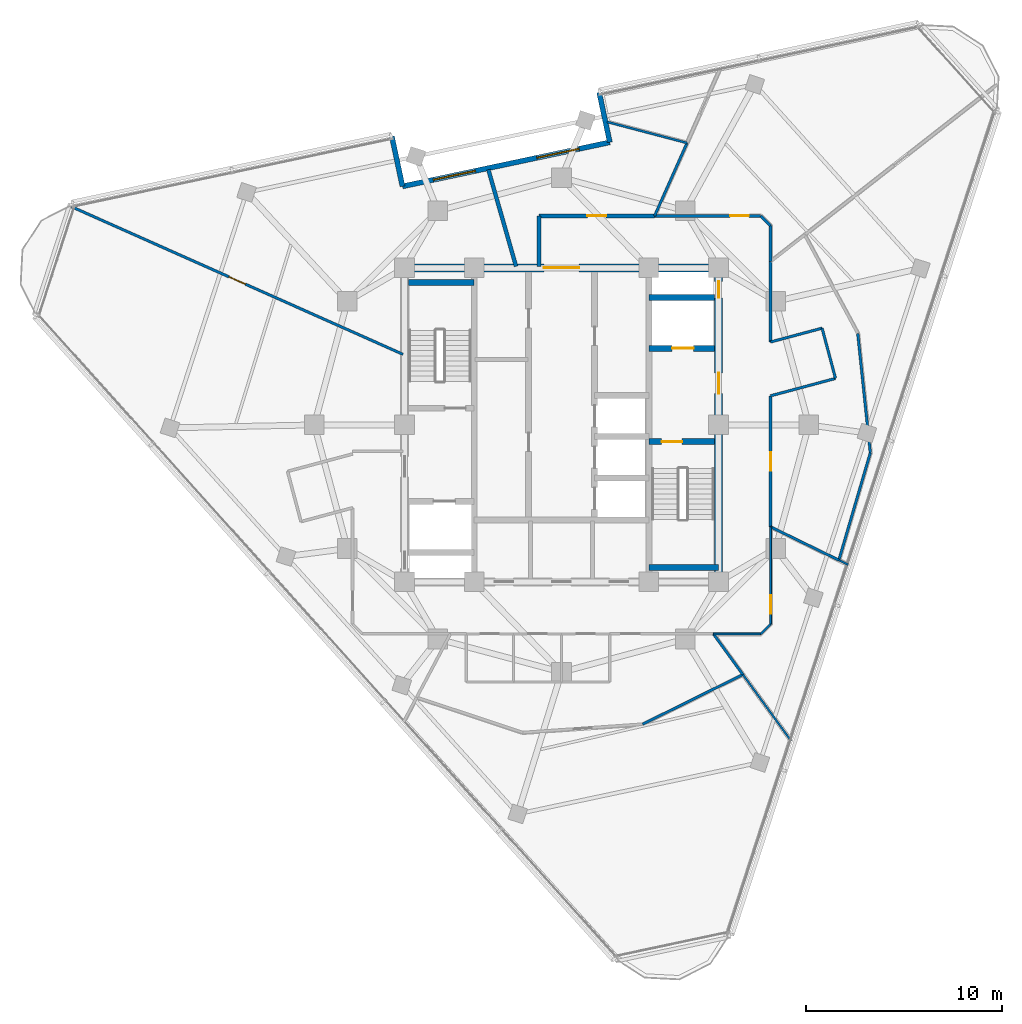
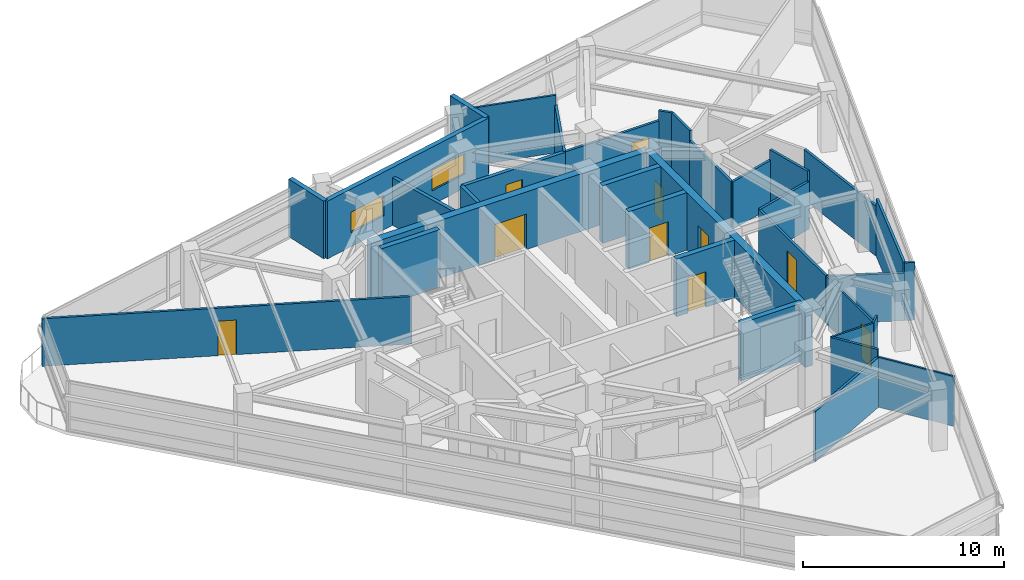
# One storey, part 9 of 15: 34 walls, 10 doors, 2 windows, 12 openings.
"""IFC4 building model written with IfcOpenShell, lengths in metres."""

import ifcopenshell
import ifcopenshell.guid

model = None  # the IFC model being written
_history = None  # IfcOwnerHistory: only IFC2X3 demands one
_inside = {}  # id of a spatial element -> (the spatial element, [elements in it])
_under = {}  # id of a project, library or spatial element -> (it, [spatial elements below it])
_declared = {}  # id of a project -> (the project, [libraries it declares])
_typed = {}  # id of a type object -> (the type object, [elements of that type])
_made_of = {}  # id of a material, layer set ... -> (it, [elements and type objects made of it])


def new_model(schema):
    """Start an empty IFC model of exactly this schema.

    Asked for "IFC4X3", IfcOpenShell would pick the latest addendum, in which some entities
    have other attributes; the version numbers below select the first issue.
    IFC2X3 requires an IfcOwnerHistory on every rooted entity: one is made here for all.
    """
    global model, _history
    if schema == "IFC4X3":
        model = ifcopenshell.file(schema_version=(4, 3, 0, 0))
    else:
        model = ifcopenshell.file(schema=schema)
    _inside.clear()
    _under.clear()
    _declared.clear()
    _typed.clear()
    _made_of.clear()
    _history = None
    if model.schema == "IFC2X3":
        org = make("IfcOrganization", Name="unknown")
        user = make(
            "IfcPersonAndOrganization",
            ThePerson=make("IfcPerson", FamilyName="unknown"),
            TheOrganization=org,
        )
        app = make(
            "IfcApplication",
            ApplicationDeveloper=org,
            Version="unknown",
            ApplicationFullName="unknown",
            ApplicationIdentifier="unknown",
        )
        _history = make(
            "IfcOwnerHistory",
            OwningUser=user,
            OwningApplication=app,
            ChangeAction="ADDED",
            CreationDate=0,
        )
    return model


def make(cls, **values):
    """One entity of the class cls with the attributes given. An attribute that is None is left unset."""
    return model.create_entity(
        cls, **{name: value for name, value in values.items() if value is not None}
    )


def rooted(cls, **values):
    """An entity with a GlobalId (a new one), such as an element, a storey or a relation."""
    return make(cls, GlobalId=ifcopenshell.guid.new(), OwnerHistory=_history, **values)


def si_unit(unit_type, name, prefix=None):
    """IfcSIUnit, for example si_unit("LENGTHUNIT", "METRE", prefix="MILLI")."""
    return make("IfcSIUnit", UnitType=unit_type, Prefix=prefix, Name=name)


def assignment(units):
    """IfcUnitAssignment: the units of a project."""
    return None if units is None else make("IfcUnitAssignment", Units=units)


def point(xyz):
    """IfcCartesianPoint."""
    return None if xyz is None else make("IfcCartesianPoint", Coordinates=xyz)


def direction(xyz):
    """IfcDirection."""
    return None if xyz is None else make("IfcDirection", DirectionRatios=xyz)


def frame(location, z_axis=None, x_axis=None):
    """IfcAxis2Placement3D, a coordinate frame: its origin and axes. An axis left out is left unset."""
    return make(
        "IfcAxis2Placement3D",
        Location=point(location),
        Axis=direction(z_axis),
        RefDirection=direction(x_axis),
    )


def frame_2d(location, x_axis=None):
    """IfcAxis2Placement2D, a coordinate frame in the plane: its origin and x axis."""
    return make(
        "IfcAxis2Placement2D", Location=point(location), RefDirection=direction(x_axis)
    )


def origin():
    """The frame at (0, 0, 0) with its axes left unset."""
    return frame((0.0, 0.0, 0.0))


def place(relative_to, where):
    """IfcLocalPlacement: puts the frame where relative to a parent placement (None: the world)."""
    return make(
        "IfcLocalPlacement", PlacementRelTo=relative_to, RelativePlacement=where
    )


def context(
    kind, dimensions, precision=None, world=None, true_north=None, identifier=None
):
    """IfcGeometricRepresentationContext, for example the 3D "Model" context."""
    return make(
        "IfcGeometricRepresentationContext",
        ContextIdentifier=identifier,
        ContextType=kind,
        CoordinateSpaceDimension=dimensions,
        Precision=precision,
        WorldCoordinateSystem=world,
        TrueNorth=true_north,
    )


def subcontext(parent, identifier, kind, view, scale=None):
    """IfcGeometricRepresentationSubContext, for example "Body" below "Model"."""
    return make(
        "IfcGeometricRepresentationSubContext",
        ContextIdentifier=identifier,
        ContextType=kind,
        ParentContext=parent,
        TargetScale=scale,
        TargetView=view,
    )


def project(units=None, contexts=None):
    """IfcProject with its units and contexts."""
    return rooted(
        "IfcProject",
        Name="project",
        RepresentationContexts=contexts,
        UnitsInContext=assignment(units),
    )


def spatial(cls, under=None, at=None, **own):
    """A site, building, storey or space (cls), placed at a placement, below another one or the project."""
    s = rooted(cls, ObjectPlacement=at, **own)
    if under is not None:
        _under.setdefault(under.id(), (under, []))[1].append(s)
    return s


def profile(cls, at=None, kind="AREA", **sizes):
    """A parametric profile (cls). Its sizes go by their IFC names, for example OverallWidth=200.0."""
    return make(cls, ProfileType=kind, Position=at, **sizes)


def rectangle(**sizes):
    """IfcRectangleProfileDef."""
    return profile("IfcRectangleProfileDef", **sizes)


def extrude(swept, where, along, depth):
    """IfcExtrudedAreaSolid: the profile swept, set in the frame where, extruded along a direction by depth."""
    return make(
        "IfcExtrudedAreaSolid",
        SweptArea=swept,
        Position=where,
        ExtrudedDirection=direction(along),
        Depth=depth,
    )


def shape(context_of_items, identifier, shape_type, items):
    """IfcShapeRepresentation: the items that make up one representation, for example the "Body"."""
    return make(
        "IfcShapeRepresentation",
        ContextOfItems=context_of_items,
        RepresentationIdentifier=identifier,
        RepresentationType=shape_type,
        Items=items,
    )


def material(Name=None, Category=None):
    """IfcMaterial."""
    return make("IfcMaterial", Name=Name, Category=Category)


def layer(
    of_material, thickness, ventilated=None, Name=None, Category=None, Priority=None
):
    """IfcMaterialLayer: one layer of a wall or slab, of a material (None: an air gap)."""
    return make(
        "IfcMaterialLayer",
        Material=of_material,
        LayerThickness=thickness,
        IsVentilated=ventilated,
        Name=Name,
        Category=Category,
        Priority=Priority,
    )


def layer_set(layers, Name=None):
    """IfcMaterialLayerSet."""
    return make("IfcMaterialLayerSet", MaterialLayers=layers, LayerSetName=Name)


def made_of(thing, what):
    """Note that an element or type object is made of a material, layer set ...; save() writes the relation."""
    if what is not None:
        _made_of.setdefault(what.id(), (what, []))[1].append(thing)
    return thing


def type_object(cls, material=None, **own):
    """A type object (cls), such as IfcWallType, which elements share."""
    return made_of(rooted(cls, **own), material)


def element(
    cls,
    number,
    at=None,
    inside=None,
    cuts=None,
    type_object=None,
    material=None,
    context=None,
    identifier="Body",
    shape_type=None,
    held_by="IfcProductDefinitionShape",
    body=None,
    shapes=None,
    **own,
):
    """One element of the class cls, such as IfcWall. Its Tag is "e" and its number.

    at: its placement. inside: the storey or other place that contains it. cuts: it is an
    opening in that element (IfcRelVoidsElement). A single representation is given by context,
    identifier, shape_type and body (its items); several are given by shapes. held_by: the class
    of the entity that holds the representations. save() writes the other relations.
    """
    e = rooted(cls, Tag="e%d" % number, ObjectPlacement=at, **own)
    if body is not None:
        shapes = [shape(context, identifier, shape_type, body)]
    if shapes is not None:
        e.Representation = make(held_by, Representations=shapes)
    if inside is not None:
        _inside.setdefault(inside.id(), (inside, []))[1].append(e)
    if cuts is not None:
        rooted(
            "IfcRelVoidsElement", RelatingBuildingElement=cuts, RelatedOpeningElement=e
        )
    if type_object is not None:
        _typed.setdefault(type_object.id(), (type_object, []))[1].append(e)
    return made_of(e, material)


def fill(opening, filler):
    """IfcRelFillsElement: the door or window that sits in an opening."""
    return rooted(
        "IfcRelFillsElement",
        RelatingOpeningElement=opening,
        RelatedBuildingElement=filler,
    )


def aggregate(whole, parts):
    """IfcRelAggregates: a whole, such as a stair, and the parts it consists of."""
    return rooted("IfcRelAggregates", RelatingObject=whole, RelatedObjects=parts)


def save(model, path):
    """Write the relations noted so far, then the file.

    IfcRelAggregates (storeys below a building ...), IfcRelContainedInSpatialStructure (elements
    in a storey), IfcRelDefinesByType, IfcRelAssociatesMaterial and IfcRelDeclares: one each for
    every whole, place, type object, material and project.
    """
    for whole, parts in _under.values():
        aggregate(whole, parts)
    for where, things in _inside.values():
        rooted(
            "IfcRelContainedInSpatialStructure",
            RelatedElements=things,
            RelatingStructure=where,
        )
    for kind, things in _typed.values():
        rooted("IfcRelDefinesByType", RelatedObjects=things, RelatingType=kind)
    for what, things in _made_of.values():
        rooted("IfcRelAssociatesMaterial", RelatedObjects=things, RelatingMaterial=what)
    for by, libraries in _declared.values():
        rooted("IfcRelDeclares", RelatingContext=by, RelatedDefinitions=libraries)
    model.write(path)


model = new_model("IFC4")

# Units and contexts
model_context = context("Model", 3, precision=1e-05, world=origin(), true_north=direction((0.0, 1.0)))
body_context = subcontext(model_context, "Body", "Model", "MODEL_VIEW")
ifc_project = project(units=[si_unit("LENGTHUNIT", "METRE"), si_unit("AREAUNIT", "SQUARE_METRE"), si_unit("VOLUMEUNIT", "CUBIC_METRE"), si_unit("PLANEANGLEUNIT", "RADIAN"), si_unit("MASSUNIT", "GRAM", prefix="KILO")], contexts=[model_context])

# Site, building, storey
site_placement = place(None, origin())
site = spatial("IfcSite", under=ifc_project, at=site_placement, CompositionType="ELEMENT")
building_placement = place(site_placement, origin())
building = spatial("IfcBuilding", under=site, at=building_placement, Name="Terralouvre Media Tower", CompositionType="ELEMENT")
storey_placement = place(building_placement, frame((0.0, 0.0, 298.0)))
storey = spatial("IfcBuildingStorey", under=building, at=storey_placement, Name="L77", CompositionType="ELEMENT", Elevation=298.0)

# Wall
ifc_material_1 = material(Name="Concrete C50/60", Category="concrete")
ifc_layer_1 = layer(ifc_material_1, 0.300048828125, Name="Core Internal Shaft Wall CW-300")
ifc_layer_set_1 = layer_set([ifc_layer_1], Name="Concrete C50/60")
wall_type_1 = type_object("IfcWallType", Name="Core Internal Shaft Wall CW-300", PredefinedType="SHEAR", material=ifc_layer_set_1)
wall_1_placement = place(storey_placement, frame((-7.7900390625, 7.260009765625, 0.0), z_axis=(0.0, 0.0, 1.0), x_axis=(1.0, 0.0, 0.0)))
element("IfcWall", 1, at=wall_1_placement, inside=storey, type_object=wall_type_1, Name="L77 Core Shaft Wall ST1F", PredefinedType="SHEAR", context=body_context, shape_type="SweptSolid", body=[
    extrude(rectangle(XDim=3.340087890625, YDim=0.300048828125, at=frame_2d((1.669921875, 0.0))), origin(), (0.0, 0.0, 1.0), 3.5),
])

# Wall, opening, door
wall_2_placement = place(storey_placement, frame((4.449951171875, -0.85009765625, 0.0), z_axis=(0.0, 0.0, 1.0), x_axis=(1.0, 0.0, 0.0)))
wall_2 = element("IfcWall", 2, at=wall_2_placement, inside=storey, type_object=wall_type_1, Name="L77 Core Shaft Wall ST2D", PredefinedType="SHEAR", context=body_context, shape_type="SweptSolid", body=[
    extrude(rectangle(XDim=3.340087890625, YDim=0.300048828125, at=frame_2d((1.669921875, 0.0))), origin(), (0.0, 0.0, 1.0), 3.5),
])
opening_1_placement = place(wall_2_placement, frame((0.64990234375, 0.0, 0.0)))
opening_1 = element("IfcOpeningElement", 3, at=opening_1_placement, cuts=wall_2, Name="Opening FD-01-105X215", PredefinedType="OPENING", context=body_context, shape_type="SweptSolid", body=[
    extrude(rectangle(XDim=1.050048828125, YDim=2.14990234375, at=frame_2d((0.52490234375, 1.074951171875))), frame((0.0, 0.159912109375, 0.0), z_axis=(0.0, -1.0, 0.0), x_axis=(1.0, 0.0, 0.0)), (0.0, 0.0, 1.0), 0.320068359375),
])
ifc_material_2 = material(Name="Galvanised steel fire-resisting leaf", Category="steel")
door_type_1 = type_object("IfcDoorType", Name="Stair and Firefighting Lobby Fire Door FD-01 (1050x2150)", OperationType="NOTDEFINED", PredefinedType="DOOR", material=ifc_material_2)
door_1_placement = place(opening_1_placement, origin())
door_1 = element("IfcDoor", 4, at=door_1_placement, inside=storey, type_object=door_type_1, Name="L77 ST-02 Exit Stair Door", OperationType="SINGLE_SWING_RIGHT", OverallHeight=2.14990234375, OverallWidth=1.050048828125, PredefinedType="DOOR", context=body_context, shape_type="SweptSolid", body=[
    extrude(rectangle(XDim=1.050048828125, YDim=2.14990234375, at=frame_2d((0.52490234375, 1.074951171875))), frame((0.0, 0.02490234375, 0.0), z_axis=(0.0, -1.0, 0.0), x_axis=(1.0, 0.0, 0.0)), (0.0, 0.0, 1.0), 0.050048828125),
])
fill(opening_1, door_1)

# Wall
wall_3_placement = place(storey_placement, frame((4.449951171875, -7.260009765625, 0.0), z_axis=(0.0, 0.0, 1.0), x_axis=(1.0, 0.0, 0.0)))
element("IfcWall", 5, at=wall_3_placement, inside=storey, type_object=wall_type_1, Name="L77 Core Shaft Wall ST2F", PredefinedType="SHEAR", context=body_context, shape_type="SweptSolid", body=[
    extrude(rectangle(XDim=3.550048828125, YDim=0.300048828125, at=frame_2d((1.77490234375, 0.0))), origin(), (0.0, 0.0, 1.0), 3.5),
])

# Wall, opening, door
wall_4_placement = place(storey_placement, frame((4.449951171875, 3.89990234375, 0.0), z_axis=(0.0, 0.0, 1.0), x_axis=(1.0, 0.0, 0.0)))
wall_4 = element("IfcWall", 6, at=wall_4_placement, inside=storey, type_object=wall_type_1, Name="L77 Core Shaft Wall FF2S", PredefinedType="SHEAR", context=body_context, shape_type="SweptSolid", body=[
    extrude(rectangle(XDim=3.340087890625, YDim=0.300048828125, at=frame_2d((1.669921875, 0.0))), origin(), (0.0, 0.0, 1.0), 3.5),
])
opening_2_placement = place(wall_4_placement, frame((1.179931640625, 0.0, 0.0)))
opening_2 = element("IfcOpeningElement", 7, at=opening_2_placement, cuts=wall_4, Name="Opening LD-FF", PredefinedType="OPENING", context=body_context, shape_type="SweptSolid", body=[
    extrude(rectangle(XDim=1.10009765625, YDim=2.10009765625, at=frame_2d((0.550048828125, 1.050048828125))), frame((0.0, 0.159912109375, 0.0), z_axis=(0.0, -1.0, 0.0), x_axis=(1.0, 0.0, 0.0)), (0.0, 0.0, 1.0), 0.320068359375),
])
ifc_material_3 = material(Name="Stainless steel 316 handrail and balustrade", Category="steel")
door_type_2 = type_object("IfcDoorType", Name="Firefighting Lift Sliding Landing Door LD-FF", OperationType="SLIDING_TO_LEFT", PredefinedType="DOOR", material=ifc_material_3)
door_2_placement = place(opening_2_placement, origin())
door_2 = element("IfcDoor", 8, at=door_2_placement, inside=storey, type_object=door_type_2, Name="L77 Firefighting Lift FFL-02 Landing Door", OperationType="SLIDING_TO_LEFT", OverallHeight=2.10009765625, OverallWidth=1.10009765625, PredefinedType="DOOR", context=body_context, shape_type="SweptSolid", body=[
    extrude(rectangle(XDim=1.10009765625, YDim=2.10009765625, at=frame_2d((0.550048828125, 1.050048828125))), frame((0.0, 0.02490234375, 0.0), z_axis=(0.0, -1.0, 0.0), x_axis=(1.0, 0.0, 0.0)), (0.0, 0.0, 1.0), 0.050048828125),
])
fill(opening_2, door_2)

# Wall
wall_5_placement = place(storey_placement, frame((4.449951171875, 6.5, 0.0), z_axis=(0.0, 0.0, 1.0), x_axis=(1.0, 0.0, 0.0)))
element("IfcWall", 9, at=wall_5_placement, inside=storey, type_object=wall_type_1, Name="L77 Core Shaft Wall FF2N", PredefinedType="SHEAR", context=body_context, shape_type="SweptSolid", body=[
    extrude(rectangle(XDim=3.340087890625, YDim=0.300048828125, at=frame_2d((1.669921875, 0.0))), origin(), (0.0, 0.0, 1.0), 3.5),
])

# Wall, openings, doors
ifc_material_4 = material(Name="Concrete C60/75", Category="concrete")
ifc_layer_2 = layer(ifc_material_4, 0.419921875, Name="Core Reinforced Concrete Shear Wall CW-420")
ifc_layer_set_2 = layer_set([ifc_layer_2], Name="Concrete C60/75")
wall_type_2 = type_object("IfcWallType", Name="Core Reinforced Concrete Shear Wall CW-420", PredefinedType="SHEAR", material=ifc_layer_set_2)
wall_6_placement = place(storey_placement, frame((8.0, -8.0, 0.0), z_axis=(0.0, 0.0, 1.0), x_axis=(0.0, 1.0, 0.0)))
wall_6 = element("IfcWall", 10, at=wall_6_placement, inside=storey, type_object=wall_type_2, Name="L77 E Core Shear Wall", PredefinedType="SHEAR", context=body_context, shape_type="SweptSolid", body=[
    extrude(rectangle(XDim=16.0, YDim=0.419921875, at=frame_2d((8.0, 0.0))), origin(), (0.0, 0.0, 1.0), 3.5),
])
opening_3_placement = place(wall_6_placement, frame((9.60009765625, 0.0, 0.0)))
opening_3 = element("IfcOpeningElement", 11, at=opening_3_placement, cuts=wall_6, Name="Opening FD-01-105X215", PredefinedType="OPENING", context=body_context, shape_type="SweptSolid", body=[
    extrude(rectangle(XDim=1.050048828125, YDim=2.14990234375, at=frame_2d((0.52490234375, 1.074951171875))), frame((0.0, 0.219970703125, 0.0), z_axis=(0.0, -1.0, 0.0), x_axis=(1.0, 0.0, 0.0)), (0.0, 0.0, 1.0), 0.43994140625),
])
opening_4_placement = place(wall_6_placement, frame((14.468994140625, 0.0, 0.0)))
opening_4 = element("IfcOpeningElement", 12, at=opening_4_placement, cuts=wall_6, Name="Opening TD-R1", PredefinedType="OPENING", context=body_context, shape_type="SweptSolid", body=[
    extrude(rectangle(XDim=0.85009765625, YDim=2.02001953125, at=frame_2d((0.425048828125, 1.010009765625))), frame((0.0, 0.219970703125, 0.0), z_axis=(0.0, -1.0, 0.0), x_axis=(1.0, 0.0, 0.0)), (0.0, 0.0, 1.0), 0.43994140625),
])
ifc_material_5 = material(Name="Galvanised steel fire-resisting leaf", Category="steel")
door_type_3 = type_object("IfcDoorType", Name="Riser Inspection Access Trapdoor TD-R1", OperationType="NOTDEFINED", PredefinedType="TRAPDOOR", material=ifc_material_5)
door_3_placement = place(opening_4_placement, origin())
door_3 = element("IfcDoor", 13, at=door_3_placement, inside=storey, type_object=door_type_3, Name="L77 East Comms Riser Access Trapdoor", OperationType="SINGLE_SWING_RIGHT", OverallHeight=2.02001953125, OverallWidth=0.85009765625, PredefinedType="TRAPDOOR", context=body_context, shape_type="SweptSolid", body=[
    extrude(rectangle(XDim=0.85009765625, YDim=2.02001953125, at=frame_2d((0.425048828125, 1.010009765625))), frame((0.0, 0.02490234375, 0.0), z_axis=(0.0, -1.0, 0.0), x_axis=(1.0, 0.0, 0.0)), (0.0, 0.0, 1.0), 0.050048828125),
])
fill(opening_4, door_3)
door_4_placement = place(opening_3_placement, origin())
door_4 = element("IfcDoor", 14, at=door_4_placement, inside=storey, type_object=door_type_1, Name="L77 East Firefighting Lobby Entry Door", OperationType="SINGLE_SWING_LEFT", OverallHeight=2.14990234375, OverallWidth=1.050048828125, PredefinedType="DOOR", context=body_context, shape_type="SweptSolid", body=[
    extrude(rectangle(XDim=1.050048828125, YDim=2.14990234375, at=frame_2d((0.52490234375, 1.074951171875))), frame((0.0, 0.02490234375, 0.0), z_axis=(0.0, -1.0, 0.0), x_axis=(1.0, 0.0, 0.0)), (0.0, 0.0, 1.0), 0.050048828125),
])
fill(opening_3, door_4)

# Wall, opening, door
wall_7_placement = place(storey_placement, frame((-8.0, 8.0, 0.0), z_axis=(0.0, 0.0, 1.0), x_axis=(1.0, 0.0, 0.0)))
wall_7 = element("IfcWall", 15, at=wall_7_placement, inside=storey, type_object=wall_type_2, Name="L77 N Core Shear Wall", PredefinedType="SHEAR", context=body_context, shape_type="SweptSolid", body=[
    extrude(rectangle(XDim=16.0, YDim=0.419921875, at=frame_2d((8.0, 0.0))), origin(), (0.0, 0.0, 1.0), 3.5),
])
opening_5_placement = place(wall_7_placement, frame((7.10009765625, 0.0, 0.0)))
opening_5 = element("IfcOpeningElement", 16, at=opening_5_placement, cuts=wall_7, Name="Opening FD-03", PredefinedType="OPENING", context=body_context, shape_type="SweptSolid", body=[
    extrude(rectangle(XDim=1.800048828125, YDim=2.14990234375, at=frame_2d((0.89990234375, 1.074951171875))), frame((0.0, 0.219970703125, 0.0), z_axis=(0.0, -1.0, 0.0), x_axis=(1.0, 0.0, 0.0)), (0.0, 0.0, 1.0), 0.43994140625),
])
ifc_material_6 = material(Name="Galvanised steel fire-resisting leaf", Category="steel")
door_type_4 = type_object("IfcDoorType", Name="Corridor Smoke-Control Double Door FD-03", OperationType="DOUBLE_DOOR_SINGLE_SWING", PredefinedType="DOOR", material=ifc_material_6)
door_5_placement = place(opening_5_placement, origin())
door_5 = element("IfcDoor", 17, at=door_5_placement, inside=storey, type_object=door_type_4, Name="L77 Central Lift Lobby Portal Door", OperationType="DOUBLE_DOOR_SINGLE_SWING", OverallHeight=2.14990234375, OverallWidth=1.800048828125, PredefinedType="DOOR", context=body_context, shape_type="SweptSolid", body=[
    extrude(rectangle(XDim=1.800048828125, YDim=2.14990234375, at=frame_2d((0.89990234375, 1.074951171875))), frame((0.0, 0.02490234375, 0.0), z_axis=(0.0, -1.0, 0.0), x_axis=(1.0, 0.0, 0.0)), (0.0, 0.0, 1.0), 0.050048828125),
])
fill(opening_5, door_5)

# Walls
ifc_material_7 = material(Name="Low-iron laminated double glazing with solar-control coating", Category="glass")
ifc_layer_3 = layer(ifc_material_7, 0.10009765625, Name="Demountable Glazed Office Partition PT-GL100")
ifc_layer_set_3 = layer_set([ifc_layer_3], Name="Low-iron laminated double glazing with solar-control coating")
wall_type_3 = type_object("IfcWallType", Name="Demountable Glazed Office Partition PT-GL100", PredefinedType="MOVABLE", material=ifc_layer_set_3)
wall_8_placement = place(storey_placement, frame((7.738037109375, -10.64990234375, 0.0), z_axis=(0.0, 0.0, 1.0), x_axis=(1.0, 0.0, 0.0)))
element("IfcWall", 18, at=wall_8_placement, inside=storey, type_object=wall_type_3, Name="L77 Interior Partition 018", PredefinedType="MOVABLE", context=body_context, shape_type="SweptSolid", body=[
    extrude(rectangle(XDim=2.411865234375, YDim=0.10009765625, at=frame_2d((1.2060546875, 0.0))), origin(), (0.0, 0.0, 1.0), 3.5),
])
wall_9_placement = place(storey_placement, frame((10.14990234375, -10.64990234375, 0.0), z_axis=(0.0, 0.0, 1.0), x_axis=(0.707106781187, 0.707106781187, 0.0)))
element("IfcWall", 19, at=wall_9_placement, inside=storey, type_object=wall_type_3, Name="L77 Interior Partition 019", PredefinedType="MOVABLE", context=body_context, shape_type="SweptSolid", body=[
    extrude(rectangle(XDim=0.70703125, YDim=0.10009765625, at=frame_2d((0.353515625, 0.0))), origin(), (0.0, 0.0, 1.0), 3.5),
])

# Wall, opening, door
wall_10_placement = place(storey_placement, frame((10.64990234375, -10.14990234375, 0.0), z_axis=(0.0, 0.0, 1.0), x_axis=(0.0, 1.0, 0.0)))
wall_10 = element("IfcWall", 20, at=wall_10_placement, inside=storey, type_object=wall_type_3, Name="L77 Interior Partition 020", PredefinedType="MOVABLE", context=body_context, shape_type="SweptSolid", body=[
    extrude(rectangle(XDim=4.955810546875, YDim=0.10009765625, at=frame_2d((2.47802734375, 0.0))), origin(), (0.0, 0.0, 1.0), 2.885009765625),
])
opening_6_placement = place(wall_10_placement, frame((0.51611328125, 0.0, 0.0)))
opening_6 = element("IfcOpeningElement", 21, at=opening_6_placement, cuts=wall_10, Name="Opening ID-02-95X210", PredefinedType="OPENING", context=body_context, shape_type="SweptSolid", body=[
    extrude(rectangle(XDim=0.949951171875, YDim=2.10009765625, at=frame_2d((0.47509765625, 1.050048828125))), frame((0.0, 0.06005859375, 0.0), z_axis=(0.0, -1.0, 0.0), x_axis=(1.0, 0.0, 0.0)), (0.0, 0.0, 1.0), 0.1201171875),
])
ifc_material_8 = material(Name="Engineered hardwood acoustic timber leaf", Category="wood")
door_type_5 = type_object("IfcDoorType", Name="Office and Meeting Room Door ID-02 (950x2100)", OperationType="NOTDEFINED", PredefinedType="DOOR", material=ifc_material_8)
door_6_placement = place(opening_6_placement, origin())
door_6 = element("IfcDoor", 22, at=door_6_placement, inside=storey, type_object=door_type_5, Name="L77 Design Critique Boardroom 5 Door", OperationType="SINGLE_SWING_RIGHT", OverallHeight=2.10009765625, OverallWidth=0.949951171875, PredefinedType="DOOR", context=body_context, shape_type="SweptSolid", body=[
    extrude(rectangle(XDim=0.949951171875, YDim=2.10009765625, at=frame_2d((0.47509765625, 1.050048828125))), frame((0.0, 0.02490234375, 0.0), z_axis=(0.0, -1.0, 0.0), x_axis=(1.0, 0.0, 0.0)), (0.0, 0.0, 1.0), 0.050048828125),
])
fill(opening_6, door_6)

# Walls
wall_11_placement = place(storey_placement, frame((11.69482421875, -16.095703125, 0.0), z_axis=(0.0, 0.0, 1.0), x_axis=(-0.587938546927, 0.808905597111, 0.0)))
element("IfcWall", 23, at=wall_11_placement, inside=storey, type_object=wall_type_3, Name="L77 Interior Partition 045", PredefinedType="MOVABLE", context=body_context, shape_type="SweptSolid", body=[
    extrude(rectangle(XDim=4.172119140625, YDim=0.10009765625, at=frame_2d((2.0859375, 0.0))), origin(), (0.0, 0.0, 1.0), 3.034912109375),
])
wall_12_placement = place(storey_placement, frame((14.609375, -7.125732421875, 0.0), z_axis=(0.0, 0.0, 1.0), x_axis=(-0.898533726223, 0.438904480313, 0.0)))
element("IfcWall", 24, at=wall_12_placement, inside=storey, type_object=wall_type_3, Name="L77 Interior Partition 046", PredefinedType="MOVABLE", context=body_context, shape_type="SweptSolid", body=[
    extrude(rectangle(XDim=0.530029296875, YDim=0.10009765625, at=frame_2d((0.26513671875, 0.0))), origin(), (0.0, 0.0, 1.0), 3.5),
])

# Wall, opening, door
ifc_material_9 = material(Name="Fire-rated gypsum board drywall partition")
ifc_layer_4 = layer(ifc_material_9, 0.199951171875, Name="Fire-Rated Shaft and Lobby Partition FW-200")
ifc_layer_set_4 = layer_set([ifc_layer_4], Name="Fire-rated gypsum board drywall partition")
wall_type_4 = type_object("IfcWallType", Name="Fire-Rated Shaft and Lobby Partition FW-200", PredefinedType="SOLIDWALL", material=ifc_layer_set_4)
wall_13_placement = place(storey_placement, frame((4.741943359375, 10.64990234375, 0.0), z_axis=(0.0, 0.0, 1.0), x_axis=(-1.0, 0.0, 0.0)))
wall_13 = element("IfcWall", 25, at=wall_13_placement, inside=storey, type_object=wall_type_4, Name="L77 Interior Partition 024", PredefinedType="SOLIDWALL", context=body_context, shape_type="SweptSolid", body=[
    extrude(rectangle(XDim=5.891845703125, YDim=0.199951171875, at=frame_2d((2.94580078125, 0.0))), origin(), (0.0, 0.0, 1.0), 2.885009765625),
])
opening_7_placement = place(wall_13_placement, frame((2.470947265625, 0.0, 0.0)))
opening_7 = element("IfcOpeningElement", 26, at=opening_7_placement, cuts=wall_13, Name="Opening FD-02-95X210", PredefinedType="OPENING", context=body_context, shape_type="SweptSolid", body=[
    extrude(rectangle(XDim=0.949951171875, YDim=2.10009765625, at=frame_2d((0.47509765625, 1.050048828125))), frame((0.0, 0.10986328125, 0.0), z_axis=(0.0, -1.0, 0.0), x_axis=(1.0, 0.0, 0.0)), (0.0, 0.0, 1.0), 0.219970703125),
])
ifc_material_10 = material(Name="Galvanised steel fire-resisting leaf", Category="steel")
door_type_6 = type_object("IfcDoorType", Name="Plant and Riser Fire Door FD-02 (950x2100)", OperationType="NOTDEFINED", PredefinedType="DOOR", material=ifc_material_10)
door_7_placement = place(opening_7_placement, origin())
door_7 = element("IfcDoor", 27, at=door_7_placement, inside=storey, type_object=door_type_6, Name="L77 Render Cluster Server Room 9 Door", OperationType="SINGLE_SWING_RIGHT", OverallHeight=2.10009765625, OverallWidth=0.949951171875, PredefinedType="DOOR", context=body_context, shape_type="SweptSolid", body=[
    extrude(rectangle(XDim=0.949951171875, YDim=2.10009765625, at=frame_2d((0.47509765625, 1.050048828125))), frame((0.0, 0.02490234375, 0.0), z_axis=(0.0, -1.0, 0.0), x_axis=(1.0, 0.0, 0.0)), (0.0, 0.0, 1.0), 0.050048828125),
])
fill(opening_7, door_7)

# Walls
wall_14_placement = place(storey_placement, frame((-1.14990234375, 10.64990234375, 0.0), z_axis=(0.0, 0.0, 1.0), x_axis=(0.0, -1.0, 0.0)))
element("IfcWall", 28, at=wall_14_placement, inside=storey, type_object=wall_type_4, Name="L77 Interior Partition 025", PredefinedType="SOLIDWALL", context=body_context, shape_type="SweptSolid", body=[
    extrude(rectangle(XDim=2.56982421875, YDim=0.199951171875, at=frame_2d((1.284912109375, 0.0))), origin(), (0.0, 0.0, 1.0), 2.885009765625),
])
wall_15_placement = place(storey_placement, frame((-3.72900390625, 13.005126953125, 0.0), z_axis=(0.0, 0.0, 1.0), x_axis=(0.275658725111, -0.961255568135, 0.0)))
element("IfcWall", 29, at=wall_15_placement, inside=storey, type_object=wall_type_4, Name="L77 Interior Partition 051", PredefinedType="SOLIDWALL", context=body_context, shape_type="SweptSolid", body=[
    extrude(rectangle(XDim=5.12353515625, YDim=0.199951171875, at=frame_2d((2.561767578125, 0.0))), origin(), (0.0, 0.0, 1.0), 2.885009765625),
])

# Wall, opening, door
ifc_material_11 = material(Name="Fire-rated gypsum board drywall partition")
ifc_layer_5 = layer(ifc_material_11, 0.135009765625, Name="Newsroom Acoustic Partition PT-135")
ifc_layer_set_5 = layer_set([ifc_layer_5], Name="Fire-rated gypsum board drywall partition")
wall_type_5 = type_object("IfcWallType", Name="Newsroom Acoustic Partition PT-135", PredefinedType="PARTITIONING", material=ifc_layer_set_5)
wall_16_placement = place(storey_placement, frame((10.64990234375, -5.194091796875, 0.0), z_axis=(0.0, 0.0, 1.0), x_axis=(0.0, 1.0, 0.0)))
wall_16 = element("IfcWall", 30, at=wall_16_placement, inside=storey, type_object=wall_type_5, Name="L77 Interior Partition 008", PredefinedType="PARTITIONING", context=body_context, shape_type="SweptSolid", body=[
    extrude(rectangle(XDim=6.676025390625, YDim=0.135009765625, at=frame_2d((3.337890625, 0.0))), origin(), (0.0, 0.0, 1.0), 2.885009765625),
])
opening_8_placement = place(wall_16_placement, frame((2.863037109375, 0.0, 0.0)))
opening_8 = element("IfcOpeningElement", 31, at=opening_8_placement, cuts=wall_16, Name="Opening ID-02-95X210", PredefinedType="OPENING", context=body_context, shape_type="SweptSolid", body=[
    extrude(rectangle(XDim=0.949951171875, YDim=2.10009765625, at=frame_2d((0.47509765625, 1.050048828125))), frame((0.0, 0.077392578125, 0.0), z_axis=(0.0, -1.0, 0.0), x_axis=(1.0, 0.0, 0.0)), (0.0, 0.0, 1.0), 0.155029296875),
])
door_8_placement = place(opening_8_placement, origin())
door_8 = element("IfcDoor", 32, at=door_8_placement, inside=storey, type_object=door_type_5, Name="L77 Interactive Graphics Open Office 2 Door", OperationType="SINGLE_SWING_LEFT", OverallHeight=2.10009765625, OverallWidth=0.949951171875, PredefinedType="DOOR", context=body_context, shape_type="SweptSolid", body=[
    extrude(rectangle(XDim=0.949951171875, YDim=2.10009765625, at=frame_2d((0.47509765625, 1.050048828125))), frame((0.0, 0.02490234375, 0.0), z_axis=(0.0, -1.0, 0.0), x_axis=(1.0, 0.0, 0.0)), (0.0, 0.0, 1.0), 0.050048828125),
])
fill(opening_8, door_8)

# Walls
wall_17_placement = place(storey_placement, frame((10.64990234375, 1.48193359375, 0.0), z_axis=(0.0, 0.0, 1.0), x_axis=(0.965961397105, 0.2586862565, 0.0)))
element("IfcWall", 33, at=wall_17_placement, inside=storey, type_object=wall_type_5, Name="L77 Interior Partition 009", PredefinedType="PARTITIONING", context=body_context, shape_type="SweptSolid", body=[
    extrude(rectangle(XDim=3.4287109375, YDim=0.135009765625, at=frame_2d((1.71435546875, 0.0))), origin(), (0.0, 0.0, 1.0), 2.885009765625),
])
wall_18_placement = place(storey_placement, frame((13.9619140625, 2.368896484375, 0.0), z_axis=(0.0, 0.0, 1.0), x_axis=(-0.258413725385, 0.966034340245, 0.0)))
element("IfcWall", 34, at=wall_18_placement, inside=storey, type_object=wall_type_5, Name="L77 Interior Partition 010", PredefinedType="PARTITIONING", context=body_context, shape_type="SweptSolid", body=[
    extrude(rectangle(XDim=2.650146484375, YDim=0.135009765625, at=frame_2d((1.3251953125, 0.0))), origin(), (0.0, 0.0, 1.0), 3.5),
])
wall_19_placement = place(storey_placement, frame((13.277099609375, 4.928955078125, 0.0), z_axis=(0.0, 0.0, 1.0), x_axis=(-0.965934830229, -0.258785439601, 0.0)))
element("IfcWall", 35, at=wall_19_placement, inside=storey, type_object=wall_type_5, Name="L77 Interior Partition 011", PredefinedType="PARTITIONING", context=body_context, shape_type="SweptSolid", body=[
    extrude(rectangle(XDim=2.719970703125, YDim=0.135009765625, at=frame_2d((1.35986328125, 0.0))), origin(), (0.0, 0.0, 1.0), 2.885009765625),
])
wall_20_placement = place(storey_placement, frame((10.64990234375, 4.22509765625, 0.0), z_axis=(0.0, 0.0, 1.0), x_axis=(0.0, 1.0, 0.0)))
element("IfcWall", 36, at=wall_20_placement, inside=storey, type_object=wall_type_5, Name="L77 Interior Partition 012", PredefinedType="PARTITIONING", context=body_context, shape_type="SweptSolid", body=[
    extrude(rectangle(XDim=4.095947265625, YDim=0.135009765625, at=frame_2d((2.0478515625, 0.0))), origin(), (0.0, 0.0, 1.0), 2.885009765625),
])
wall_21_placement = place(storey_placement, frame((10.64990234375, 8.321044921875, 0.0), z_axis=(0.0, 0.0, 1.0), x_axis=(0.0, 1.0, 0.0)))
element("IfcWall", 37, at=wall_21_placement, inside=storey, type_object=wall_type_5, Name="L77 Interior Partition 021", PredefinedType="PARTITIONING", context=body_context, shape_type="SweptSolid", body=[
    extrude(rectangle(XDim=1.828857421875, YDim=0.135009765625, at=frame_2d((0.91455078125, 0.0))), origin(), (0.0, 0.0, 1.0), 3.5),
])
wall_22_placement = place(storey_placement, frame((10.64990234375, 10.14990234375, 0.0), z_axis=(0.0, 0.0, 1.0), x_axis=(-0.707106781187, 0.707106781187, 0.0)))
element("IfcWall", 38, at=wall_22_placement, inside=storey, type_object=wall_type_5, Name="L77 Interior Partition 022", PredefinedType="PARTITIONING", context=body_context, shape_type="SweptSolid", body=[
    extrude(rectangle(XDim=0.70703125, YDim=0.135009765625, at=frame_2d((0.353515625, 0.0))), origin(), (0.0, 0.0, 1.0), 3.5),
])

# Wall, opening, door
wall_23_placement = place(storey_placement, frame((10.14990234375, 10.64990234375, 0.0), z_axis=(0.0, 0.0, 1.0), x_axis=(-1.0, 0.0, 0.0)))
wall_23 = element("IfcWall", 39, at=wall_23_placement, inside=storey, type_object=wall_type_5, Name="L77 Interior Partition 023", PredefinedType="PARTITIONING", context=body_context, shape_type="SweptSolid", body=[
    extrude(rectangle(XDim=5.407958984375, YDim=0.135009765625, at=frame_2d((2.7041015625, 0.0))), origin(), (0.0, 0.0, 1.0), 2.885009765625),
])
opening_9_placement = place(wall_23_placement, frame((0.606689453125, 0.0, 0.0)))
opening_9 = element("IfcOpeningElement", 40, at=opening_9_placement, cuts=wall_23, Name="Opening ID-02-95X210", PredefinedType="OPENING", context=body_context, shape_type="SweptSolid", body=[
    extrude(rectangle(XDim=0.949951171875, YDim=2.10009765625, at=frame_2d((0.47509765625, 1.050048828125))), frame((0.0, 0.077392578125, 0.0), z_axis=(0.0, -1.0, 0.0), x_axis=(1.0, 0.0, 0.0)), (0.0, 0.0, 1.0), 0.155029296875),
])
door_9_placement = place(opening_9_placement, origin())
door_9 = element("IfcDoor", 41, at=door_9_placement, inside=storey, type_object=door_type_5, Name="L77 Staff Quiet Reading Club 7 Door", OperationType="SINGLE_SWING_LEFT", OverallHeight=2.10009765625, OverallWidth=0.949951171875, PredefinedType="DOOR", context=body_context, shape_type="SweptSolid", body=[
    extrude(rectangle(XDim=0.949951171875, YDim=2.10009765625, at=frame_2d((0.47509765625, 1.050048828125))), frame((0.0, 0.02490234375, 0.0), z_axis=(0.0, -1.0, 0.0), x_axis=(1.0, 0.0, 0.0)), (0.0, 0.0, 1.0), 0.050048828125),
])
fill(opening_9, door_9)

wall_24_placement = place(storey_placement, frame((-8.080078125, 3.59716796875, 0.0), z_axis=(0.0, 0.0, 1.0), x_axis=(-0.913542590258, 0.406743083266, 0.0)))
wall_24 = element("IfcWall", 42, at=wall_24_placement, inside=storey, type_object=wall_type_5, Name="L77 Interior Partition 028", PredefinedType="PARTITIONING", context=body_context, shape_type="SweptSolid", body=[
    extrude(rectangle(XDim=18.505126953125, YDim=0.135009765625, at=frame_2d((9.25244140625, 0.0))), origin(), (0.0, 0.0, 1.0), 2.885009765625),
])
opening_10_placement = place(wall_24_placement, frame((8.79248046875, 0.0, 0.0)))
opening_10 = element("IfcOpeningElement", 43, at=opening_10_placement, cuts=wall_24, Name="Opening ID-03-92X210", PredefinedType="OPENING", context=body_context, shape_type="SweptSolid", body=[
    extrude(rectangle(XDim=0.919921875, YDim=2.10009765625, at=frame_2d((0.4599609375, 1.050048828125))), frame((0.0, 0.077392578125, 0.0), z_axis=(0.0, -1.0, 0.0), x_axis=(1.0, 0.0, 0.0)), (0.0, 0.0, 1.0), 0.155029296875),
])
ifc_material_12 = material(Name="Engineered hardwood acoustic timber leaf", Category="wood")
door_type_7 = type_object("IfcDoorType", Name="Accessible Restroom and Suite Door ID-03 (920x2100)", OperationType="NOTDEFINED", PredefinedType="DOOR", material=ifc_material_12)
door_10_placement = place(opening_10_placement, origin())
door_10 = element("IfcDoor", 44, at=door_10_placement, inside=storey, type_object=door_type_7, Name="L77 Hardware Prototype Storage 10 Door", OperationType="SINGLE_SWING_RIGHT", OverallHeight=2.10009765625, OverallWidth=0.919921875, PredefinedType="DOOR", context=body_context, shape_type="SweptSolid", body=[
    extrude(rectangle(XDim=0.919921875, YDim=2.10009765625, at=frame_2d((0.4599609375, 1.050048828125))), frame((0.0, 0.02490234375, 0.0), z_axis=(0.0, -1.0, 0.0), x_axis=(1.0, 0.0, 0.0)), (0.0, 0.0, 1.0), 0.050048828125),
])
fill(opening_10, door_10)

# Walls
wall_25_placement = place(storey_placement, frame((10.64990234375, -5.194091796875, 0.0), z_axis=(0.0, 0.0, 1.0), x_axis=(0.898781159743, -0.438397567159, 0.0)))
element("IfcWall", 45, at=wall_25_placement, inside=storey, type_object=wall_type_5, Name="L77 Interior Partition 029", PredefinedType="PARTITIONING", context=body_context, shape_type="SweptSolid", body=[
    extrude(rectangle(XDim=3.87548828125, YDim=0.135009765625, at=frame_2d((1.937744140625, 0.0))), origin(), (0.0, 0.0, 1.0), 2.885009765625),
])
wall_26_placement = place(storey_placement, frame((14.133056640625, -6.89306640625, 0.0), z_axis=(0.0, 0.0, 1.0), x_axis=(0.281231672123, 0.959639904649, 0.0)))
element("IfcWall", 46, at=wall_26_placement, inside=storey, type_object=wall_type_5, Name="L77 Interior Partition 030", PredefinedType="PARTITIONING", context=body_context, shape_type="SweptSolid", body=[
    extrude(rectangle(XDim=5.699951171875, YDim=0.135009765625, at=frame_2d((2.85009765625, 0.0))), origin(), (0.0, 0.0, 1.0), 3.5),
])
wall_27_placement = place(storey_placement, frame((15.736083984375, -1.423095703125, 0.0), z_axis=(0.0, 0.0, 1.0), x_axis=(-0.104601717472, 0.994514193313, 0.0)))
element("IfcWall", 47, at=wall_27_placement, inside=storey, type_object=wall_type_5, Name="L77 Interior Partition 031", PredefinedType="PARTITIONING", context=body_context, shape_type="SweptSolid", body=[
    extrude(rectangle(XDim=6.119873046875, YDim=0.135009765625, at=frame_2d((3.06005859375, 0.0))), origin(), (0.0, 0.0, 1.0), 3.034912109375),
])
wall_28_placement = place(storey_placement, frame((4.134033203125, -15.25, 0.0), z_axis=(0.0, 0.0, 1.0), x_axis=(0.896167979159, 0.443714945804, 0.0)))
element("IfcWall", 48, at=wall_28_placement, inside=storey, type_object=wall_type_5, Name="L77 Interior Partition 043", PredefinedType="PARTITIONING", context=body_context, shape_type="SweptSolid", body=[
    extrude(rectangle(XDim=5.69970703125, YDim=0.135009765625, at=frame_2d((2.849853515625, 0.0))), origin(), (0.0, 0.0, 1.0), 3.034912109375),
])
wall_29_placement = place(storey_placement, frame((9.241943359375, -12.720947265625, 0.0), z_axis=(0.0, 0.0, 1.0), x_axis=(-0.58758169089, 0.80916485127, 0.0)))
element("IfcWall", 49, at=wall_29_placement, inside=storey, type_object=wall_type_5, Name="L77 Interior Partition 044", PredefinedType="PARTITIONING", context=body_context, shape_type="SweptSolid", body=[
    extrude(rectangle(XDim=2.5595703125, YDim=0.135009765625, at=frame_2d((1.27978515625, 0.0))), origin(), (0.0, 0.0, 1.0), 3.5),
])
wall_30_placement = place(storey_placement, frame((6.39697265625, 14.367919921875, 0.0), z_axis=(0.0, 0.0, 1.0), x_axis=(-0.406667169341, -0.913576386177, 0.0)))
element("IfcWall", 50, at=wall_30_placement, inside=storey, type_object=wall_type_5, Name="L77 Interior Partition 049", PredefinedType="PARTITIONING", context=body_context, shape_type="SweptSolid", body=[
    extrude(rectangle(XDim=4.06982421875, YDim=0.135009765625, at=frame_2d((2.034912109375, 0.0))), origin(), (0.0, 0.0, 1.0), 2.885009765625),
])

# Wall, openings, windows
ifc_material_13 = material(Name="Kiln-fired architectural terracotta rainscreen cladding", Category="masonry")
ifc_layer_6 = layer(ifc_material_13, 0.260009765625, Name="Recessed Sky-Garden Acoustic Wall EW-SG260")
ifc_layer_set_6 = layer_set([ifc_layer_6], Name="Kiln-fired architectural terracotta rainscreen cladding")
wall_type_6 = type_object("IfcWallType", Name="Recessed Sky-Garden Acoustic Wall EW-SG260", PredefinedType="SOLIDWALL", material=ifc_layer_set_6)
wall_31_placement = place(storey_placement, frame((2.459228515625, 14.40234375, 0.0), z_axis=(0.0, 0.0, 1.0), x_axis=(-0.978149082982, -0.207904717268, 0.0)))
wall_31 = element("IfcWall", 51, at=wall_31_placement, inside=storey, type_object=wall_type_6, Name="L77 WP Recessed Loggia Back Wall", PredefinedType="SOLIDWALL", context=body_context, shape_type="SweptSolid", body=[
    extrude(rectangle(XDim=10.800048828125, YDim=0.260009765625, at=frame_2d((5.39990234375, 0.0))), origin(), (0.0, 0.0, 1.0), 3.5),
])
opening_11_placement = place(wall_31_placement, frame((1.60009765625, 0.0, 0.85009765625)))
opening_11 = element("IfcOpeningElement", 52, at=opening_11_placement, cuts=wall_31, Name="Opening W-04", PredefinedType="OPENING", context=body_context, shape_type="SweptSolid", body=[
    extrude(rectangle(XDim=2.199951171875, YDim=1.25, at=frame_2d((1.10009765625, 0.625))), frame((0.0, 0.139892578125, 0.0), z_axis=(0.0, -1.0, 0.0), x_axis=(1.0, 0.0, 0.0)), (0.0, 0.0, 1.0), 0.280029296875),
])
opening_12_placement = place(wall_31_placement, frame((7.0, 0.0, 0.85009765625)))
opening_12 = element("IfcOpeningElement", 53, at=opening_12_placement, cuts=wall_31, Name="Opening W-04", PredefinedType="OPENING", context=body_context, shape_type="SweptSolid", body=[
    extrude(rectangle(XDim=2.199951171875, YDim=1.25, at=frame_2d((1.10009765625, 0.625))), frame((0.0, 0.139892578125, 0.0), z_axis=(0.0, -1.0, 0.0), x_axis=(1.0, 0.0, 0.0)), (0.0, 0.0, 1.0), 0.280029296875),
])
ifc_material_14 = material(Name="Low-iron laminated double glazing with solar-control coating", Category="glass")
window_type = type_object("IfcWindowType", Name="Wind-Portal Observation Window W-04", PartitioningType="SINGLE_PANEL", PredefinedType="WINDOW", material=ifc_material_14)
window_1_placement = place(opening_11_placement, origin())
window_1 = element("IfcWindow", 54, at=window_1_placement, inside=storey, type_object=window_type, Name="L77 Pocket Loggia Window 1", OverallHeight=1.25, OverallWidth=2.199951171875, PartitioningType="SINGLE_PANEL", PredefinedType="WINDOW", context=body_context, shape_type="SweptSolid", body=[
    extrude(rectangle(XDim=2.199951171875, YDim=1.25, at=frame_2d((1.10009765625, 0.625))), frame((0.0, 0.030029296875, 0.0), z_axis=(0.0, -1.0, 0.0), x_axis=(1.0, 0.0, 0.0)), (0.0, 0.0, 1.0), 0.06005859375),
])
fill(opening_11, window_1)
window_2_placement = place(opening_12_placement, origin())
window_2 = element("IfcWindow", 55, at=window_2_placement, inside=storey, type_object=window_type, Name="L77 Pocket Loggia Window 2", OverallHeight=1.25, OverallWidth=2.199951171875, PartitioningType="SINGLE_PANEL", PredefinedType="WINDOW", context=body_context, shape_type="SweptSolid", body=[
    extrude(rectangle(XDim=2.199951171875, YDim=1.25, at=frame_2d((1.10009765625, 0.625))), frame((0.0, 0.030029296875, 0.0), z_axis=(0.0, -1.0, 0.0), x_axis=(1.0, 0.0, 0.0)), (0.0, 0.0, 1.0), 0.06005859375),
])
fill(opening_12, window_2)

# Walls
for number, where, z_axis, x_axis, name in (
    (56, (1.918701171875, 16.945556640625, 0.0), (0.0, 0.0, 1.0), (0.207893569688, -0.978151452323, 0.0), "L77 WP Pocket Left Cheek Wall"),
    (57, (-8.104736328125, 12.156982421875, 0.0), (0.0, 0.0, 1.0), (-0.207893569688, 0.978151452323, 0.0), "L77 WP Pocket Right Cheek Wall"),
):
    element("IfcWall", number, at=place(storey_placement, frame(where, z_axis=z_axis, x_axis=x_axis)), inside=storey, type_object=wall_type_6, Name=name, PredefinedType="SOLIDWALL", context=body_context, shape_type="SweptSolid", body=[
        extrude(rectangle(XDim=2.60009765625, YDim=0.260009765625, at=frame_2d((1.300048828125, 0.0))), origin(), (0.0, 0.0, 1.0), 3.5),
    ])
ifc_material_15 = material(Name="Fire-rated gypsum board drywall partition")
ifc_layer_7 = layer(ifc_material_15, 0.114990234375, Name="Restroom and Pantry Partition PT-115")
ifc_layer_set_7 = layer_set([ifc_layer_7], Name="Fire-rated gypsum board drywall partition")
wall_type_7 = type_object("IfcWallType", Name="Restroom and Pantry Partition PT-115", PredefinedType="PARTITIONING", material=ifc_layer_set_7)
wall_32_placement = place(storey_placement, frame((2.3203125, 15.4404296875, 0.0), z_axis=(0.0, 0.0, 1.0), x_axis=(0.967091789993, -0.254427729874, 0.0)))
element("IfcWall", 58, at=wall_32_placement, inside=storey, type_object=wall_type_7, Name="L77 Interior Partition 050", PredefinedType="PARTITIONING", context=body_context, shape_type="SweptSolid", body=[
    extrude(rectangle(XDim=4.21533203125, YDim=0.114990234375, at=frame_2d((2.107666015625, 0.0))), origin(), (0.0, 0.0, 1.0), 3.5),
])

save(model, "model.ifc")
